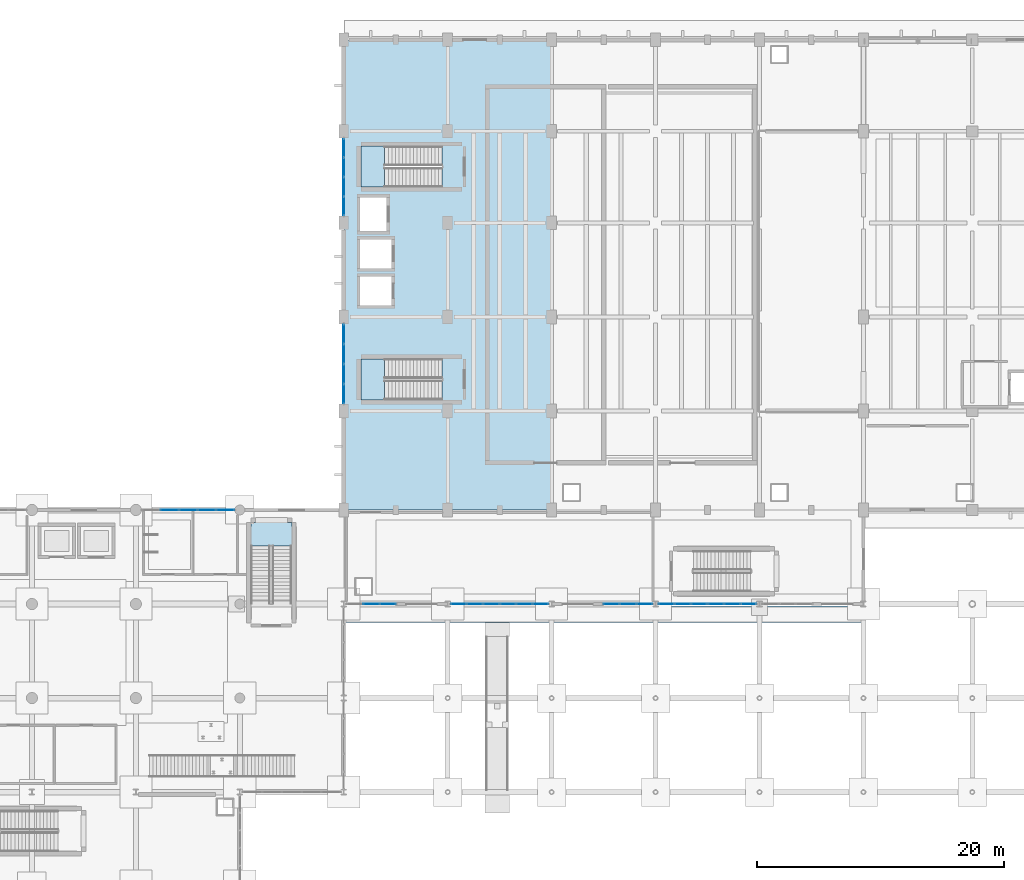
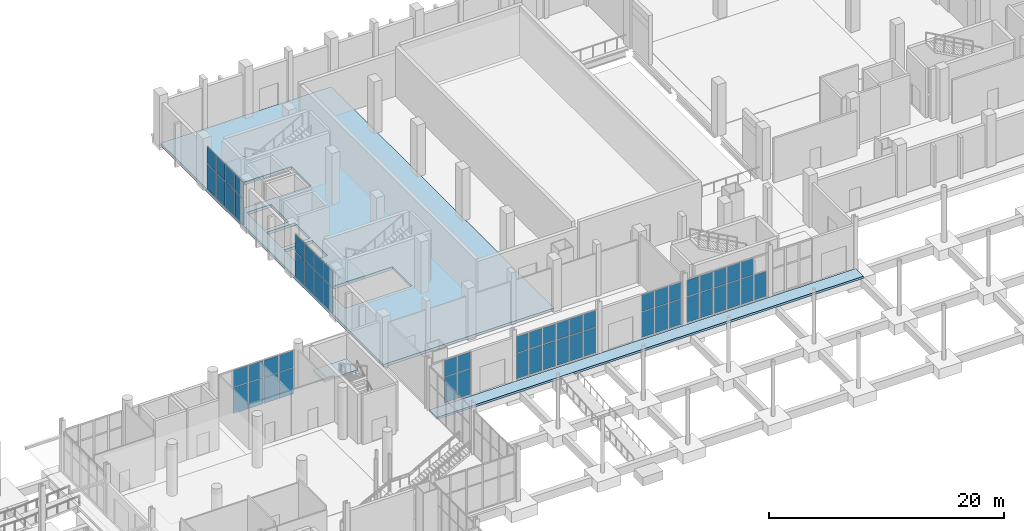
# One storey, part 63 of 95: 57 plates, 5 slabs, 12 elements without a shape of their own.
"""IFC4 building model written with IfcOpenShell, lengths in metres."""

from ifc_helpers import new_model, si_unit, direction, frame, origin, origin_2d, place, context, subcontext, project, spatial, polyline, rectangle, outline, extrude, material, layer, layer_set, type_object, element, aggregate, save


model = new_model("IFC4")

# Units and contexts
model_context = context("Model", 3, precision=1e-05, world=origin(), true_north=direction((0.0, 1.0)))
body_context = subcontext(model_context, "Body", "Model", "MODEL_VIEW")
ifc_project = project(units=[si_unit("LENGTHUNIT", "METRE"), si_unit("AREAUNIT", "SQUARE_METRE"), si_unit("VOLUMEUNIT", "CUBIC_METRE"), si_unit("PLANEANGLEUNIT", "RADIAN"), si_unit("MASSUNIT", "GRAM", prefix="KILO")], contexts=[model_context])

# Site, building, storey
site_placement = place(None, origin())
site = spatial("IfcSite", under=ifc_project, at=site_placement, CompositionType="ELEMENT")
building_placement = place(site_placement, origin())
building = spatial("IfcBuilding", under=site, at=building_placement, Name="Shengluoqiao Park Theatre", CompositionType="ELEMENT")
storey_placement = place(building_placement, origin())
storey = spatial("IfcBuildingStorey", under=building, at=storey_placement, Name="L00", CompositionType="ELEMENT", Elevation=0.0)

# Curtain wall, plates
ifc_material_1 = material(Name="Aluminium 6063-T6", Category="aluminium")
curtain_wall_type_1 = type_object("IfcCurtainWallType", Name="ENV-CW-FOYER", PredefinedType="NOTDEFINED", material=ifc_material_1)
curtain_wall_1_placement = place(storey_placement, origin())
curtain_wall_1 = element("IfcCurtainWall", 1, at=curtain_wall_1_placement, inside=storey, type_object=curtain_wall_type_1, Name="L00 Curtain Wall CW-L00-0038", PredefinedType="NOTDEFINED")
ifc_material_2 = material(Name="Insulated glass", Category="glass")
ifc_layer_1 = layer(ifc_material_2, 0.0380859375, Name="Insulated glass")
ifc_layer_set_1 = layer_set([ifc_layer_1], Name="Insulated glass")
plate_type_1 = type_object("IfcPlateType", Name="ENV-GLZ-GL-38", PredefinedType="CURTAIN_PANEL", material=ifc_layer_set_1)
plate_1_placement = place(storey_placement, frame((30.316650390625, 76.0, 0.06494140625), z_axis=(0.0, 0.0, 1.0), x_axis=(1.0, 0.0, 0.0)))
plate_1 = element("IfcPlate", 2, at=plate_1_placement, type_object=plate_type_1, Name="CW-01 panel 2.1", PredefinedType="CURTAIN_PANEL", context=body_context, shape_type="SweptSolid", body=[
    extrude(rectangle(XDim=1.443359375, YDim=0.0380859375, at=origin_2d()), origin(), (0.0, 0.0, 1.0), 2.6923828125),
])
plate_2_placement = place(storey_placement, frame((30.316650390625, 76.0, 2.82275390625), z_axis=(0.0, 0.0, 1.0), x_axis=(1.0, 0.0, 0.0)))
plate_2 = element("IfcPlate", 3, at=plate_2_placement, type_object=plate_type_1, Name="CW-01 panel 2.2", PredefinedType="CURTAIN_PANEL", context=body_context, shape_type="SweptSolid", body=[
    extrude(rectangle(XDim=1.443359375, YDim=0.0380859375, at=origin_2d()), origin(), (0.0, 0.0, 1.0), 1.762451171875),
])
plate_3_placement = place(storey_placement, frame((31.824951171875, 76.0, 0.06494140625), z_axis=(0.0, 0.0, 1.0), x_axis=(1.0, 0.0, 0.0)))
plate_3 = element("IfcPlate", 4, at=plate_3_placement, type_object=plate_type_1, Name="CW-01 panel 3.1", PredefinedType="CURTAIN_PANEL", context=body_context, shape_type="SweptSolid", body=[
    extrude(rectangle(XDim=1.443359375, YDim=0.0380859375, at=origin_2d()), origin(), (0.0, 0.0, 1.0), 2.6923828125),
])
plate_4_placement = place(storey_placement, frame((31.824951171875, 76.0, 2.82275390625), z_axis=(0.0, 0.0, 1.0), x_axis=(1.0, 0.0, 0.0)))
plate_4 = element("IfcPlate", 5, at=plate_4_placement, type_object=plate_type_1, Name="CW-01 panel 3.2", PredefinedType="CURTAIN_PANEL", context=body_context, shape_type="SweptSolid", body=[
    extrude(rectangle(XDim=1.443359375, YDim=0.0380859375, at=origin_2d()), origin(), (0.0, 0.0, 1.0), 1.762451171875),
])
plate_5_placement = place(storey_placement, frame((33.33349609375, 76.0, 0.06494140625), z_axis=(0.0, 0.0, 1.0), x_axis=(1.0, 0.0, 0.0)))
plate_5 = element("IfcPlate", 6, at=plate_5_placement, type_object=plate_type_1, Name="CW-01 panel 4.1", PredefinedType="CURTAIN_PANEL", context=body_context, shape_type="SweptSolid", body=[
    extrude(rectangle(XDim=1.443359375, YDim=0.0380859375, at=origin_2d()), origin(), (0.0, 0.0, 1.0), 2.6923828125),
])
plate_6_placement = place(storey_placement, frame((33.33349609375, 76.0, 2.82275390625), z_axis=(0.0, 0.0, 1.0), x_axis=(1.0, 0.0, 0.0)))
plate_6 = element("IfcPlate", 7, at=plate_6_placement, type_object=plate_type_1, Name="CW-01 panel 4.2", PredefinedType="CURTAIN_PANEL", context=body_context, shape_type="SweptSolid", body=[
    extrude(rectangle(XDim=1.443359375, YDim=0.0380859375, at=origin_2d()), origin(), (0.0, 0.0, 1.0), 1.762451171875),
])
plate_7_placement = place(storey_placement, frame((34.825439453125, 76.0, 0.06494140625), z_axis=(0.0, 0.0, 1.0), x_axis=(1.0, 0.0, 0.0)))
plate_7 = element("IfcPlate", 8, at=plate_7_placement, type_object=plate_type_1, Name="CW-01 panel 5.1", PredefinedType="CURTAIN_PANEL", context=body_context, shape_type="SweptSolid", body=[
    extrude(rectangle(XDim=1.410888671875, YDim=0.0380859375, at=origin_2d()), origin(), (0.0, 0.0, 1.0), 2.6923828125),
])
plate_8_placement = place(storey_placement, frame((34.825439453125, 76.0, 2.82275390625), z_axis=(0.0, 0.0, 1.0), x_axis=(1.0, 0.0, 0.0)))
plate_8 = element("IfcPlate", 9, at=plate_8_placement, type_object=plate_type_1, Name="CW-01 panel 5.2", PredefinedType="CURTAIN_PANEL", context=body_context, shape_type="SweptSolid", body=[
    extrude(rectangle(XDim=1.410888671875, YDim=0.0380859375, at=origin_2d()), origin(), (0.0, 0.0, 1.0), 1.762451171875),
])
aggregate(curtain_wall_1, [plate_1, plate_2, plate_3, plate_4, plate_5, plate_6, plate_7, plate_8])

curtain_wall_type_2 = type_object("IfcCurtainWallType", Name="ENV-CW-PROM", PredefinedType="NOTDEFINED", material=ifc_material_1)
curtain_wall_2_placement = place(storey_placement, origin())
curtain_wall_2 = element("IfcCurtainWall", 10, at=curtain_wall_2_placement, inside=storey, type_object=curtain_wall_type_2, Name="L00 Curtain Wall CW-L00-0039", PredefinedType="NOTDEFINED")
plate_9_placement = place(storey_placement, frame((46.63330078125, 68.39990234375, 0.06494140625), z_axis=(0.0, 0.0, 1.0), x_axis=(1.0, 0.0, 0.0)))
plate_9 = element("IfcPlate", 11, at=plate_9_placement, type_object=plate_type_1, Name="CW-04 panel 2.1", PredefinedType="CURTAIN_PANEL", context=body_context, shape_type="SweptSolid", body=[
    extrude(rectangle(XDim=1.2861328125, YDim=0.0380859375, at=origin_2d()), origin(), (0.0, 0.0, 1.0), 2.62744140625),
])
plate_10_placement = place(storey_placement, frame((46.63330078125, 68.39990234375, 2.75732421875), z_axis=(0.0, 0.0, 1.0), x_axis=(1.0, 0.0, 0.0)))
plate_10 = element("IfcPlate", 12, at=plate_10_placement, type_object=plate_type_1, Name="CW-04 panel 2.2", PredefinedType="CURTAIN_PANEL", context=body_context, shape_type="SweptSolid", body=[
    extrude(rectangle(XDim=1.2861328125, YDim=0.0380859375, at=origin_2d()), origin(), (0.0, 0.0, 1.0), 1.719482421875),
])
plate_11_placement = place(storey_placement, frame((47.96826171875, 68.39990234375, 0.06494140625), z_axis=(0.0, 0.0, 1.0), x_axis=(1.0, 0.0, 0.0)))
plate_11 = element("IfcPlate", 13, at=plate_11_placement, type_object=plate_type_1, Name="CW-04 panel 3.1", PredefinedType="CURTAIN_PANEL", context=body_context, shape_type="SweptSolid", body=[
    extrude(rectangle(XDim=1.253662109375, YDim=0.0380859375, at=origin_2d()), origin(), (0.0, 0.0, 1.0), 2.62744140625),
])
plate_12_placement = place(storey_placement, frame((47.96826171875, 68.39990234375, 2.75732421875), z_axis=(0.0, 0.0, 1.0), x_axis=(1.0, 0.0, 0.0)))
plate_12 = element("IfcPlate", 14, at=plate_12_placement, type_object=plate_type_1, Name="CW-04 panel 3.2", PredefinedType="CURTAIN_PANEL", context=body_context, shape_type="SweptSolid", body=[
    extrude(rectangle(XDim=1.253662109375, YDim=0.0380859375, at=origin_2d()), origin(), (0.0, 0.0, 1.0), 1.719482421875),
])
aggregate(curtain_wall_2, [plate_9, plate_10, plate_11, plate_12])

curtain_wall_3_placement = place(storey_placement, origin())
curtain_wall_3 = element("IfcCurtainWall", 15, at=curtain_wall_3_placement, inside=storey, type_object=curtain_wall_type_2, Name="L00 Curtain Wall CW-L00-0040", PredefinedType="NOTDEFINED")
plate_13_placement = place(storey_placement, frame((53.688232421875, 68.39990234375, 0.06494140625), z_axis=(0.0, 0.0, 1.0), x_axis=(1.0, 0.0, 0.0)))
plate_13 = element("IfcPlate", 16, at=plate_13_placement, type_object=plate_type_1, Name="CW-04 panel 1.1", PredefinedType="CURTAIN_PANEL", context=body_context, shape_type="SweptSolid", body=[
    extrude(rectangle(XDim=1.233642578125, YDim=0.0380859375, at=origin_2d()), origin(), (0.0, 0.0, 1.0), 2.62744140625),
])
plate_14_placement = place(storey_placement, frame((53.688232421875, 68.39990234375, 2.75732421875), z_axis=(0.0, 0.0, 1.0), x_axis=(1.0, 0.0, 0.0)))
plate_14 = element("IfcPlate", 17, at=plate_14_placement, type_object=plate_type_1, Name="CW-04 panel 1.2", PredefinedType="CURTAIN_PANEL", context=body_context, shape_type="SweptSolid", body=[
    extrude(rectangle(XDim=1.233642578125, YDim=0.0380859375, at=origin_2d()), origin(), (0.0, 0.0, 1.0), 1.719482421875),
])
plate_15_placement = place(storey_placement, frame((55.003173828125, 68.39990234375, 0.06494140625), z_axis=(0.0, 0.0, 1.0), x_axis=(1.0, 0.0, 0.0)))
plate_15 = element("IfcPlate", 18, at=plate_15_placement, type_object=plate_type_1, Name="CW-04 panel 2.1", PredefinedType="CURTAIN_PANEL", context=body_context, shape_type="SweptSolid", body=[
    extrude(rectangle(XDim=1.26611328125, YDim=0.0380859375, at=origin_2d()), origin(), (0.0, 0.0, 1.0), 2.62744140625),
])
plate_16_placement = place(storey_placement, frame((55.003173828125, 68.39990234375, 2.75732421875), z_axis=(0.0, 0.0, 1.0), x_axis=(1.0, 0.0, 0.0)))
plate_16 = element("IfcPlate", 19, at=plate_16_placement, type_object=plate_type_1, Name="CW-04 panel 2.2", PredefinedType="CURTAIN_PANEL", context=body_context, shape_type="SweptSolid", body=[
    extrude(rectangle(XDim=1.26611328125, YDim=0.0380859375, at=origin_2d()), origin(), (0.0, 0.0, 1.0), 1.719482421875),
])
plate_17_placement = place(storey_placement, frame((56.318115234375, 68.39990234375, 0.06494140625), z_axis=(0.0, 0.0, 1.0), x_axis=(1.0, 0.0, 0.0)))
plate_17 = element("IfcPlate", 20, at=plate_17_placement, type_object=plate_type_1, Name="CW-04 panel 3.1", PredefinedType="CURTAIN_PANEL", context=body_context, shape_type="SweptSolid", body=[
    extrude(rectangle(XDim=1.233642578125, YDim=0.0380859375, at=origin_2d()), origin(), (0.0, 0.0, 1.0), 2.62744140625),
])
plate_18_placement = place(storey_placement, frame((56.318115234375, 68.39990234375, 2.75732421875), z_axis=(0.0, 0.0, 1.0), x_axis=(1.0, 0.0, 0.0)))
plate_18 = element("IfcPlate", 21, at=plate_18_placement, type_object=plate_type_1, Name="CW-04 panel 3.2", PredefinedType="CURTAIN_PANEL", context=body_context, shape_type="SweptSolid", body=[
    extrude(rectangle(XDim=1.233642578125, YDim=0.0380859375, at=origin_2d()), origin(), (0.0, 0.0, 1.0), 1.719482421875),
])
aggregate(curtain_wall_3, [plate_13, plate_14, plate_15, plate_16, plate_17, plate_18])

curtain_wall_4_placement = place(storey_placement, origin())
curtain_wall_4 = element("IfcCurtainWall", 22, at=curtain_wall_4_placement, inside=storey, type_object=curtain_wall_type_2, Name="L00 Curtain Wall CW-L00-0041", PredefinedType="NOTDEFINED")
plate_19_placement = place(storey_placement, frame((57.681884765625, 68.39990234375, 0.06494140625), z_axis=(0.0, 0.0, 1.0), x_axis=(1.0, 0.0, 0.0)))
plate_19 = element("IfcPlate", 23, at=plate_19_placement, type_object=plate_type_1, Name="CW-04 panel 1.1", PredefinedType="CURTAIN_PANEL", context=body_context, shape_type="SweptSolid", body=[
    extrude(rectangle(XDim=1.233642578125, YDim=0.0380859375, at=origin_2d()), origin(), (0.0, 0.0, 1.0), 2.62744140625),
])
plate_20_placement = place(storey_placement, frame((57.681884765625, 68.39990234375, 2.75732421875), z_axis=(0.0, 0.0, 1.0), x_axis=(1.0, 0.0, 0.0)))
plate_20 = element("IfcPlate", 24, at=plate_20_placement, type_object=plate_type_1, Name="CW-04 panel 1.2", PredefinedType="CURTAIN_PANEL", context=body_context, shape_type="SweptSolid", body=[
    extrude(rectangle(XDim=1.233642578125, YDim=0.0380859375, at=origin_2d()), origin(), (0.0, 0.0, 1.0), 1.719482421875),
])
plate_21_placement = place(storey_placement, frame((58.996826171875, 68.39990234375, 0.06494140625), z_axis=(0.0, 0.0, 1.0), x_axis=(1.0, 0.0, 0.0)))
plate_21 = element("IfcPlate", 25, at=plate_21_placement, type_object=plate_type_1, Name="CW-04 panel 2.1", PredefinedType="CURTAIN_PANEL", context=body_context, shape_type="SweptSolid", body=[
    extrude(rectangle(XDim=1.26611328125, YDim=0.0380859375, at=origin_2d()), origin(), (0.0, 0.0, 1.0), 2.62744140625),
])
plate_22_placement = place(storey_placement, frame((58.996826171875, 68.39990234375, 2.75732421875), z_axis=(0.0, 0.0, 1.0), x_axis=(1.0, 0.0, 0.0)))
plate_22 = element("IfcPlate", 26, at=plate_22_placement, type_object=plate_type_1, Name="CW-04 panel 2.2", PredefinedType="CURTAIN_PANEL", context=body_context, shape_type="SweptSolid", body=[
    extrude(rectangle(XDim=1.26611328125, YDim=0.0380859375, at=origin_2d()), origin(), (0.0, 0.0, 1.0), 1.719482421875),
])
plate_23_placement = place(storey_placement, frame((60.311767578125, 68.39990234375, 0.06494140625), z_axis=(0.0, 0.0, 1.0), x_axis=(1.0, 0.0, 0.0)))
plate_23 = element("IfcPlate", 27, at=plate_23_placement, type_object=plate_type_1, Name="CW-04 panel 3.1", PredefinedType="CURTAIN_PANEL", context=body_context, shape_type="SweptSolid", body=[
    extrude(rectangle(XDim=1.233642578125, YDim=0.0380859375, at=origin_2d()), origin(), (0.0, 0.0, 1.0), 2.62744140625),
])
plate_24_placement = place(storey_placement, frame((60.311767578125, 68.39990234375, 2.75732421875), z_axis=(0.0, 0.0, 1.0), x_axis=(1.0, 0.0, 0.0)))
plate_24 = element("IfcPlate", 28, at=plate_24_placement, type_object=plate_type_1, Name="CW-04 panel 3.2", PredefinedType="CURTAIN_PANEL", context=body_context, shape_type="SweptSolid", body=[
    extrude(rectangle(XDim=1.233642578125, YDim=0.0380859375, at=origin_2d()), origin(), (0.0, 0.0, 1.0), 1.719482421875),
])
aggregate(curtain_wall_4, [plate_19, plate_20, plate_21, plate_22, plate_23, plate_24])

curtain_wall_5_placement = place(storey_placement, origin())
curtain_wall_5 = element("IfcCurtainWall", 29, at=curtain_wall_5_placement, inside=storey, type_object=curtain_wall_type_2, Name="L00 Curtain Wall CW-L00-0042", PredefinedType="NOTDEFINED")
plate_25_placement = place(storey_placement, frame((66.03173828125, 68.39990234375, 0.06494140625), z_axis=(0.0, 0.0, 1.0), x_axis=(1.0, 0.0, 0.0)))
plate_25 = element("IfcPlate", 30, at=plate_25_placement, type_object=plate_type_1, Name="CW-04 panel 1.1", PredefinedType="CURTAIN_PANEL", context=body_context, shape_type="SweptSolid", body=[
    extrude(rectangle(XDim=1.253662109375, YDim=0.0380859375, at=origin_2d()), origin(), (0.0, 0.0, 1.0), 2.62744140625),
])
plate_26_placement = place(storey_placement, frame((66.03173828125, 68.39990234375, 2.75732421875), z_axis=(0.0, 0.0, 1.0), x_axis=(1.0, 0.0, 0.0)))
plate_26 = element("IfcPlate", 31, at=plate_26_placement, type_object=plate_type_1, Name="CW-04 panel 1.2", PredefinedType="CURTAIN_PANEL", context=body_context, shape_type="SweptSolid", body=[
    extrude(rectangle(XDim=1.253662109375, YDim=0.0380859375, at=origin_2d()), origin(), (0.0, 0.0, 1.0), 1.719482421875),
])
plate_27_placement = place(storey_placement, frame((67.36669921875, 68.39990234375, 0.06494140625), z_axis=(0.0, 0.0, 1.0), x_axis=(1.0, 0.0, 0.0)))
plate_27 = element("IfcPlate", 32, at=plate_27_placement, type_object=plate_type_1, Name="CW-04 panel 2.1", PredefinedType="CURTAIN_PANEL", context=body_context, shape_type="SweptSolid", body=[
    extrude(rectangle(XDim=1.2861328125, YDim=0.0380859375, at=origin_2d()), origin(), (0.0, 0.0, 1.0), 2.62744140625),
])
plate_28_placement = place(storey_placement, frame((67.36669921875, 68.39990234375, 2.75732421875), z_axis=(0.0, 0.0, 1.0), x_axis=(1.0, 0.0, 0.0)))
plate_28 = element("IfcPlate", 33, at=plate_28_placement, type_object=plate_type_1, Name="CW-04 panel 2.2", PredefinedType="CURTAIN_PANEL", context=body_context, shape_type="SweptSolid", body=[
    extrude(rectangle(XDim=1.2861328125, YDim=0.0380859375, at=origin_2d()), origin(), (0.0, 0.0, 1.0), 1.719482421875),
])
plate_29_placement = place(storey_placement, frame((68.70166015625, 68.39990234375, 0.06494140625), z_axis=(0.0, 0.0, 1.0), x_axis=(1.0, 0.0, 0.0)))
plate_29 = element("IfcPlate", 34, at=plate_29_placement, type_object=plate_type_1, Name="CW-04 panel 3.1", PredefinedType="CURTAIN_PANEL", context=body_context, shape_type="SweptSolid", body=[
    extrude(rectangle(XDim=1.253662109375, YDim=0.0380859375, at=origin_2d()), origin(), (0.0, 0.0, 1.0), 2.62744140625),
])
plate_30_placement = place(storey_placement, frame((68.70166015625, 68.39990234375, 2.75732421875), z_axis=(0.0, 0.0, 1.0), x_axis=(1.0, 0.0, 0.0)))
plate_30 = element("IfcPlate", 35, at=plate_30_placement, type_object=plate_type_1, Name="CW-04 panel 3.2", PredefinedType="CURTAIN_PANEL", context=body_context, shape_type="SweptSolid", body=[
    extrude(rectangle(XDim=1.253662109375, YDim=0.0380859375, at=origin_2d()), origin(), (0.0, 0.0, 1.0), 1.719482421875),
])
aggregate(curtain_wall_5, [plate_25, plate_26, plate_27, plate_28, plate_29, plate_30])

curtain_wall_6_placement = place(storey_placement, origin())
curtain_wall_6 = element("IfcCurtainWall", 36, at=curtain_wall_6_placement, inside=storey, type_object=curtain_wall_type_2, Name="L00 Curtain Wall CW-L00-0043", PredefinedType="NOTDEFINED")
plate_31_placement = place(storey_placement, frame((70.48828125, 68.39990234375, 0.06494140625), z_axis=(0.0, 0.0, 1.0), x_axis=(1.0, 0.0, 0.0)))
plate_31 = element("IfcPlate", 37, at=plate_31_placement, type_object=plate_type_1, Name="CW-04 panel 1.1", PredefinedType="CURTAIN_PANEL", context=body_context, shape_type="SweptSolid", body=[
    extrude(rectangle(XDim=1.233642578125, YDim=0.0380859375, at=origin_2d()), origin(), (0.0, 0.0, 1.0), 2.62744140625),
])
plate_32_placement = place(storey_placement, frame((70.48828125, 68.39990234375, 2.75732421875), z_axis=(0.0, 0.0, 1.0), x_axis=(1.0, 0.0, 0.0)))
plate_32 = element("IfcPlate", 38, at=plate_32_placement, type_object=plate_type_1, Name="CW-04 panel 1.2", PredefinedType="CURTAIN_PANEL", context=body_context, shape_type="SweptSolid", body=[
    extrude(rectangle(XDim=1.233642578125, YDim=0.0380859375, at=origin_2d()), origin(), (0.0, 0.0, 1.0), 1.719482421875),
])
plate_33_placement = place(storey_placement, frame((71.80322265625, 68.39990234375, 0.06494140625), z_axis=(0.0, 0.0, 1.0), x_axis=(1.0, 0.0, 0.0)))
plate_33 = element("IfcPlate", 39, at=plate_33_placement, type_object=plate_type_1, Name="CW-04 panel 2.1", PredefinedType="CURTAIN_PANEL", context=body_context, shape_type="SweptSolid", body=[
    extrude(rectangle(XDim=1.26611328125, YDim=0.0380859375, at=origin_2d()), origin(), (0.0, 0.0, 1.0), 2.62744140625),
])
plate_34_placement = place(storey_placement, frame((71.80322265625, 68.39990234375, 2.75732421875), z_axis=(0.0, 0.0, 1.0), x_axis=(1.0, 0.0, 0.0)))
plate_34 = element("IfcPlate", 40, at=plate_34_placement, type_object=plate_type_1, Name="CW-04 panel 2.2", PredefinedType="CURTAIN_PANEL", context=body_context, shape_type="SweptSolid", body=[
    extrude(rectangle(XDim=1.26611328125, YDim=0.0380859375, at=origin_2d()), origin(), (0.0, 0.0, 1.0), 1.719482421875),
])
plate_35_placement = place(storey_placement, frame((73.1181640625, 68.39990234375, 0.06494140625), z_axis=(0.0, 0.0, 1.0), x_axis=(1.0, 0.0, 0.0)))
plate_35 = element("IfcPlate", 41, at=plate_35_placement, type_object=plate_type_1, Name="CW-04 panel 3.1", PredefinedType="CURTAIN_PANEL", context=body_context, shape_type="SweptSolid", body=[
    extrude(rectangle(XDim=1.233642578125, YDim=0.0380859375, at=origin_2d()), origin(), (0.0, 0.0, 1.0), 2.62744140625),
])
plate_36_placement = place(storey_placement, frame((73.1181640625, 68.39990234375, 2.75732421875), z_axis=(0.0, 0.0, 1.0), x_axis=(1.0, 0.0, 0.0)))
plate_36 = element("IfcPlate", 42, at=plate_36_placement, type_object=plate_type_1, Name="CW-04 panel 3.2", PredefinedType="CURTAIN_PANEL", context=body_context, shape_type="SweptSolid", body=[
    extrude(rectangle(XDim=1.233642578125, YDim=0.0380859375, at=origin_2d()), origin(), (0.0, 0.0, 1.0), 1.719482421875),
])
aggregate(curtain_wall_6, [plate_31, plate_32, plate_33, plate_34, plate_35, plate_36])

curtain_wall_7_placement = place(storey_placement, origin())
curtain_wall_7 = element("IfcCurtainWall", 43, at=curtain_wall_7_placement, inside=storey, type_object=curtain_wall_type_2, Name="L00 Curtain Wall CW-L00-0044", PredefinedType="NOTDEFINED")
plate_37_placement = place(storey_placement, frame((74.48193359375, 68.39990234375, 0.06494140625), z_axis=(0.0, 0.0, 1.0), x_axis=(1.0, 0.0, 0.0)))
plate_37 = element("IfcPlate", 44, at=plate_37_placement, type_object=plate_type_1, Name="CW-04 panel 1.1", PredefinedType="CURTAIN_PANEL", context=body_context, shape_type="SweptSolid", body=[
    extrude(rectangle(XDim=1.233642578125, YDim=0.0380859375, at=origin_2d()), origin(), (0.0, 0.0, 1.0), 2.62744140625),
])
plate_38_placement = place(storey_placement, frame((74.48193359375, 68.39990234375, 2.75732421875), z_axis=(0.0, 0.0, 1.0), x_axis=(1.0, 0.0, 0.0)))
plate_38 = element("IfcPlate", 45, at=plate_38_placement, type_object=plate_type_1, Name="CW-04 panel 1.2", PredefinedType="CURTAIN_PANEL", context=body_context, shape_type="SweptSolid", body=[
    extrude(rectangle(XDim=1.233642578125, YDim=0.0380859375, at=origin_2d()), origin(), (0.0, 0.0, 1.0), 1.719482421875),
])
plate_39_placement = place(storey_placement, frame((75.796630859375, 68.39990234375, 0.06494140625), z_axis=(0.0, 0.0, 1.0), x_axis=(1.0, 0.0, 0.0)))
plate_39 = element("IfcPlate", 46, at=plate_39_placement, type_object=plate_type_1, Name="CW-04 panel 2.1", PredefinedType="CURTAIN_PANEL", context=body_context, shape_type="SweptSolid", body=[
    extrude(rectangle(XDim=1.26611328125, YDim=0.0380859375, at=origin_2d()), origin(), (0.0, 0.0, 1.0), 2.62744140625),
])
plate_40_placement = place(storey_placement, frame((75.796630859375, 68.39990234375, 2.75732421875), z_axis=(0.0, 0.0, 1.0), x_axis=(1.0, 0.0, 0.0)))
plate_40 = element("IfcPlate", 47, at=plate_40_placement, type_object=plate_type_1, Name="CW-04 panel 2.2", PredefinedType="CURTAIN_PANEL", context=body_context, shape_type="SweptSolid", body=[
    extrude(rectangle(XDim=1.26611328125, YDim=0.0380859375, at=origin_2d()), origin(), (0.0, 0.0, 1.0), 1.719482421875),
])
plate_41_placement = place(storey_placement, frame((77.111572265625, 68.39990234375, 0.06494140625), z_axis=(0.0, 0.0, 1.0), x_axis=(1.0, 0.0, 0.0)))
plate_41 = element("IfcPlate", 48, at=plate_41_placement, type_object=plate_type_1, Name="CW-04 panel 3.1", PredefinedType="CURTAIN_PANEL", context=body_context, shape_type="SweptSolid", body=[
    extrude(rectangle(XDim=1.233642578125, YDim=0.0380859375, at=origin_2d()), origin(), (0.0, 0.0, 1.0), 2.62744140625),
])
aggregate(curtain_wall_7, [plate_37, plate_38, plate_39, plate_40, plate_41])

curtain_wall_type_3 = type_object("IfcCurtainWallType", Name="ENV-CW-CLERE", PredefinedType="NOTDEFINED", material=ifc_material_1)
curtain_wall_8_placement = place(storey_placement, origin())
curtain_wall_8 = element("IfcCurtainWall", 49, at=curtain_wall_8_placement, inside=storey, type_object=curtain_wall_type_3, Name="L00 Curtain Wall CW-L00-0001", PredefinedType="NOTDEFINED")
ifc_layer_2 = layer(ifc_material_2, 0.048095703125, Name="Insulated glass")
ifc_layer_set_2 = layer_set([ifc_layer_2], Name="Insulated glass")
plate_type_2 = type_object("IfcPlateType", Name="ENV-GLZ-GL-48", PredefinedType="CURTAIN_PANEL", material=ifc_layer_set_2)
plate_42_placement = place(storey_placement, frame((44.39990234375, 85.3818359375, 0.06494140625), z_axis=(0.0, 0.0, 1.0), x_axis=(0.0, 1.0, 0.0)))
plate_42 = element("IfcPlate", 50, at=plate_42_placement, type_object=plate_type_2, Name="CW-06 panel 1.1", PredefinedType="CURTAIN_PANEL", context=body_context, shape_type="SweptSolid", body=[
    extrude(rectangle(XDim=1.525390625, YDim=0.048095703125, at=origin_2d()), origin(), (0.0, 0.0, 1.0), 2.632568359375),
])
plate_43_placement = place(storey_placement, frame((44.39990234375, 85.3818359375, 2.7626953125), z_axis=(0.0, 0.0, 1.0), x_axis=(0.0, 1.0, 0.0)))
plate_43 = element("IfcPlate", 51, at=plate_43_placement, type_object=plate_type_2, Name="CW-06 panel 1.2", PredefinedType="CURTAIN_PANEL", context=body_context, shape_type="SweptSolid", body=[
    extrude(rectangle(XDim=1.525390625, YDim=0.048095703125, at=origin_2d()), origin(), (0.0, 0.0, 1.0), 1.722412109375),
])
plate_44_placement = place(storey_placement, frame((44.39990234375, 86.988525390625, 0.06494140625), z_axis=(0.0, 0.0, 1.0), x_axis=(0.0, 1.0, 0.0)))
plate_44 = element("IfcPlate", 52, at=plate_44_placement, type_object=plate_type_2, Name="CW-06 panel 2.1", PredefinedType="CURTAIN_PANEL", context=body_context, shape_type="SweptSolid", body=[
    extrude(rectangle(XDim=1.55810546875, YDim=0.048095703125, at=origin_2d()), origin(), (0.0, 0.0, 1.0), 2.632568359375),
])
plate_45_placement = place(storey_placement, frame((44.39990234375, 86.988525390625, 2.7626953125), z_axis=(0.0, 0.0, 1.0), x_axis=(0.0, 1.0, 0.0)))
plate_45 = element("IfcPlate", 53, at=plate_45_placement, type_object=plate_type_2, Name="CW-06 panel 2.2", PredefinedType="CURTAIN_PANEL", context=body_context, shape_type="SweptSolid", body=[
    extrude(rectangle(XDim=1.55810546875, YDim=0.048095703125, at=origin_2d()), origin(), (0.0, 0.0, 1.0), 1.722412109375),
])
plate_46_placement = place(storey_placement, frame((44.39990234375, 88.611572265625, 0.06494140625), z_axis=(0.0, 0.0, 1.0), x_axis=(0.0, 1.0, 0.0)))
plate_46 = element("IfcPlate", 54, at=plate_46_placement, type_object=plate_type_2, Name="CW-06 panel 3.1", PredefinedType="CURTAIN_PANEL", context=body_context, shape_type="SweptSolid", body=[
    extrude(rectangle(XDim=1.55810546875, YDim=0.048095703125, at=origin_2d()), origin(), (0.0, 0.0, 1.0), 2.632568359375),
])
plate_47_placement = place(storey_placement, frame((44.39990234375, 88.611572265625, 2.7626953125), z_axis=(0.0, 0.0, 1.0), x_axis=(0.0, 1.0, 0.0)))
plate_47 = element("IfcPlate", 55, at=plate_47_placement, type_object=plate_type_2, Name="CW-06 panel 3.2", PredefinedType="CURTAIN_PANEL", context=body_context, shape_type="SweptSolid", body=[
    extrude(rectangle(XDim=1.55810546875, YDim=0.048095703125, at=origin_2d()), origin(), (0.0, 0.0, 1.0), 1.722412109375),
])
plate_48_placement = place(storey_placement, frame((44.39990234375, 90.21826171875, 0.06494140625), z_axis=(0.0, 0.0, 1.0), x_axis=(0.0, 1.0, 0.0)))
plate_48 = element("IfcPlate", 56, at=plate_48_placement, type_object=plate_type_2, Name="CW-06 panel 4.1", PredefinedType="CURTAIN_PANEL", context=body_context, shape_type="SweptSolid", body=[
    extrude(rectangle(XDim=1.525390625, YDim=0.048095703125, at=origin_2d()), origin(), (0.0, 0.0, 1.0), 2.632568359375),
])
plate_49_placement = place(storey_placement, frame((44.39990234375, 90.21826171875, 2.7626953125), z_axis=(0.0, 0.0, 1.0), x_axis=(0.0, 1.0, 0.0)))
plate_49 = element("IfcPlate", 57, at=plate_49_placement, type_object=plate_type_2, Name="CW-06 panel 4.2", PredefinedType="CURTAIN_PANEL", context=body_context, shape_type="SweptSolid", body=[
    extrude(rectangle(XDim=1.525390625, YDim=0.048095703125, at=origin_2d()), origin(), (0.0, 0.0, 1.0), 1.722412109375),
])
aggregate(curtain_wall_8, [plate_42, plate_43, plate_44, plate_45, plate_46, plate_47, plate_48, plate_49])

curtain_wall_9_placement = place(storey_placement, origin())
curtain_wall_9 = element("IfcCurtainWall", 58, at=curtain_wall_9_placement, inside=storey, type_object=curtain_wall_type_3, Name="L00 Curtain Wall CW-L00-0002", PredefinedType="NOTDEFINED")
plate_50_placement = place(storey_placement, frame((44.39990234375, 100.556640625, 0.06494140625), z_axis=(0.0, 0.0, 1.0), x_axis=(0.0, 1.0, 0.0)))
plate_50 = element("IfcPlate", 59, at=plate_50_placement, type_object=plate_type_2, Name="CW-06 panel 1.1", PredefinedType="CURTAIN_PANEL", context=body_context, shape_type="SweptSolid", body=[
    extrude(rectangle(XDim=1.4755859375, YDim=0.048095703125, at=origin_2d()), origin(), (0.0, 0.0, 1.0), 2.632568359375),
])
plate_51_placement = place(storey_placement, frame((44.39990234375, 100.556640625, 2.7626953125), z_axis=(0.0, 0.0, 1.0), x_axis=(0.0, 1.0, 0.0)))
plate_51 = element("IfcPlate", 60, at=plate_51_placement, type_object=plate_type_2, Name="CW-06 panel 1.2", PredefinedType="CURTAIN_PANEL", context=body_context, shape_type="SweptSolid", body=[
    extrude(rectangle(XDim=1.4755859375, YDim=0.048095703125, at=origin_2d()), origin(), (0.0, 0.0, 1.0), 1.722412109375),
])
plate_52_placement = place(storey_placement, frame((44.39990234375, 102.113525390625, 0.06494140625), z_axis=(0.0, 0.0, 1.0), x_axis=(0.0, 1.0, 0.0)))
plate_52 = element("IfcPlate", 61, at=plate_52_placement, type_object=plate_type_2, Name="CW-06 panel 2.1", PredefinedType="CURTAIN_PANEL", context=body_context, shape_type="SweptSolid", body=[
    extrude(rectangle(XDim=1.508056640625, YDim=0.048095703125, at=origin_2d()), origin(), (0.0, 0.0, 1.0), 2.632568359375),
])
plate_53_placement = place(storey_placement, frame((44.39990234375, 102.113525390625, 2.7626953125), z_axis=(0.0, 0.0, 1.0), x_axis=(0.0, 1.0, 0.0)))
plate_53 = element("IfcPlate", 62, at=plate_53_placement, type_object=plate_type_2, Name="CW-06 panel 2.2", PredefinedType="CURTAIN_PANEL", context=body_context, shape_type="SweptSolid", body=[
    extrude(rectangle(XDim=1.508056640625, YDim=0.048095703125, at=origin_2d()), origin(), (0.0, 0.0, 1.0), 1.722412109375),
])
plate_54_placement = place(storey_placement, frame((44.39990234375, 103.6865234375, 0.06494140625), z_axis=(0.0, 0.0, 1.0), x_axis=(0.0, 1.0, 0.0)))
plate_54 = element("IfcPlate", 63, at=plate_54_placement, type_object=plate_type_2, Name="CW-06 panel 3.1", PredefinedType="CURTAIN_PANEL", context=body_context, shape_type="SweptSolid", body=[
    extrude(rectangle(XDim=1.508056640625, YDim=0.048095703125, at=origin_2d()), origin(), (0.0, 0.0, 1.0), 2.632568359375),
])
plate_55_placement = place(storey_placement, frame((44.39990234375, 103.6865234375, 2.7626953125), z_axis=(0.0, 0.0, 1.0), x_axis=(0.0, 1.0, 0.0)))
plate_55 = element("IfcPlate", 64, at=plate_55_placement, type_object=plate_type_2, Name="CW-06 panel 3.2", PredefinedType="CURTAIN_PANEL", context=body_context, shape_type="SweptSolid", body=[
    extrude(rectangle(XDim=1.508056640625, YDim=0.048095703125, at=origin_2d()), origin(), (0.0, 0.0, 1.0), 1.722412109375),
])
plate_56_placement = place(storey_placement, frame((44.39990234375, 105.2431640625, 0.06494140625), z_axis=(0.0, 0.0, 1.0), x_axis=(0.0, 1.0, 0.0)))
plate_56 = element("IfcPlate", 65, at=plate_56_placement, type_object=plate_type_2, Name="CW-06 panel 4.1", PredefinedType="CURTAIN_PANEL", context=body_context, shape_type="SweptSolid", body=[
    extrude(rectangle(XDim=1.4755859375, YDim=0.048095703125, at=origin_2d()), origin(), (0.0, 0.0, 1.0), 2.632568359375),
])
plate_57_placement = place(storey_placement, frame((44.39990234375, 105.2431640625, 2.7626953125), z_axis=(0.0, 0.0, 1.0), x_axis=(0.0, 1.0, 0.0)))
plate_57 = element("IfcPlate", 66, at=plate_57_placement, type_object=plate_type_2, Name="CW-06 panel 4.2", PredefinedType="CURTAIN_PANEL", context=body_context, shape_type="SweptSolid", body=[
    extrude(rectangle(XDim=1.4755859375, YDim=0.048095703125, at=origin_2d()), origin(), (0.0, 0.0, 1.0), 1.722412109375),
])
aggregate(curtain_wall_9, [plate_50, plate_51, plate_52, plate_53, plate_54, plate_55, plate_56, plate_57])

# Slab
ifc_material_3 = material(Name="Concrete C40", Category="concrete")
ifc_layer_3 = layer(ifc_material_3, 0.219970703125, Name="Concrete C40")
ifc_layer_set_3 = layer_set([ifc_layer_3], Name="Concrete C40")
slab_type_1 = type_object("IfcSlabType", Name="ENV-SLB-APRON", PredefinedType="BASESLAB", material=ifc_layer_set_3)
slab_1_placement = place(storey_placement, frame((0.0, 0.0, -0.219970703125)))
element("IfcSlab", 67, at=slab_1_placement, inside=storey, type_object=slab_type_1, Name="Exterior Threshold Apron APR-STH-PROM", PredefinedType="BASESLAB", context=body_context, shape_type="SweptSolid", body=[
    extrude(outline(polyline([(44.39990234375, 66.89990234375), (86.39990234375, 66.89990234375), (86.39990234375, 68.219970703125), (44.39990234375, 68.219970703125), (44.39990234375, 66.89990234375)])), origin(), (0.0, 0.0, 1.0), 0.219970703125),
])

# Stair, slab
stair_type = type_object("IfcStairType", Name="INT-STR-CORE", PredefinedType="HALF_TURN_STAIR", material=ifc_material_3)
stair_1_placement = place(storey_placement, origin())
stair_1 = element("IfcStair", 68, at=stair_1_placement, inside=storey, type_object=stair_type, Name="L00 Auditorium South-West Escape Stair 02", PredefinedType="HALF_TURN_STAIR")
ifc_layer_4 = layer(ifc_material_3, 0.169921875, Name="Concrete C40")
ifc_layer_set_4 = layer_set([ifc_layer_4], Name="Concrete C40")
slab_type_2 = type_object("IfcSlabType", Name="INT-LND-SL-170", PredefinedType="LANDING", material=ifc_layer_set_4)
slab_2_placement = place(storey_placement, frame((0.0, 0.0, 2.5)))
slab_2 = element("IfcSlab", 69, at=slab_2_placement, type_object=slab_type_2, Name="ST-02 landing 1", PredefinedType="LANDING", context=body_context, shape_type="SweptSolid", body=[
    extrude(outline(polyline([(47.7099609375, 88.199951171875), (45.800048828125, 88.199951171875), (45.800048828125, 84.89990234375), (47.7099609375, 84.89990234375), (47.7099609375, 88.199951171875)])), origin(), (0.0, 0.0, 1.0), 0.199951171875),
])
aggregate(stair_1, [slab_2])

stair_2_placement = place(storey_placement, origin())
stair_2 = element("IfcStair", 70, at=stair_2_placement, inside=storey, type_object=stair_type, Name="L00 West Foyer Escape Stair 01", PredefinedType="HALF_TURN_STAIR")
ifc_layer_5 = layer(ifc_material_3, 0.199951171875, Name="Concrete C40")
ifc_layer_set_5 = layer_set([ifc_layer_5], Name="Concrete C40")
slab_type_3 = type_object("IfcSlabType", Name="INT-LND-SL-200", PredefinedType="LANDING", material=ifc_layer_set_5)
slab_3_placement = place(storey_placement, frame((0.0, 0.0, 2.5)))
slab_3 = element("IfcSlab", 71, at=slab_3_placement, type_object=slab_type_3, Name="ST-01 landing 1", PredefinedType="LANDING", context=body_context, shape_type="SweptSolid", body=[
    extrude(outline(polyline([(40.199951171875, 73.090087890625), (40.199951171875, 75.0), (36.89990234375, 75.0), (36.89990234375, 73.090087890625), (40.199951171875, 73.090087890625)])), origin(), (0.0, 0.0, 1.0), 0.199951171875),
])
aggregate(stair_2, [slab_3])

stair_3_placement = place(storey_placement, origin())
stair_3 = element("IfcStair", 72, at=stair_3_placement, inside=storey, type_object=stair_type, Name="L00 Auditorium North-West Escape Stair 03", PredefinedType="HALF_TURN_STAIR")
slab_4_placement = place(storey_placement, frame((0.0, 0.0, 2.5)))
slab_4 = element("IfcSlab", 73, at=slab_4_placement, type_object=slab_type_3, Name="ST-03 landing 1", PredefinedType="LANDING", context=body_context, shape_type="SweptSolid", body=[
    extrude(outline(polyline([(47.7099609375, 105.39990234375), (45.800048828125, 105.39990234375), (45.800048828125, 102.10009765625), (47.7099609375, 102.10009765625), (47.7099609375, 105.39990234375)])), origin(), (0.0, 0.0, 1.0), 0.199951171875),
])
aggregate(stair_3, [slab_4])

# Slab
ifc_layer_6 = layer(ifc_material_3, 0.300048828125, Name="Concrete C40")
ifc_layer_set_6 = layer_set([ifc_layer_6], Name="Concrete C40")
slab_type_4 = type_object("IfcSlabType", Name="STR-SLB-FL300", PredefinedType="FLOOR", material=ifc_layer_set_6)
slab_5_placement = place(storey_placement, frame((0.0, 0.0, -0.300048828125)))
element("IfcSlab", 74, at=slab_5_placement, inside=storey, type_object=slab_type_4, Name="Floor Slab L00-V1-REAR", PredefinedType="FLOOR", context=body_context, shape_type="SweptSolid", body=[
    extrude(outline(polyline([(44.39990234375, 76.0), (44.39990234375, 114.0), (61.199951171875, 114.0), (61.199951171875, 76.0), (44.39990234375, 76.0)]), holes=[polyline([(52.345947265625, 88.199951171875), (45.800048828125, 88.199951171875), (45.800048828125, 84.89990234375), (52.345947265625, 84.89990234375), (52.345947265625, 88.199951171875)]), polyline([(48.39990234375, 92.39990234375), (48.39990234375, 95.0), (45.60009765625, 95.0), (45.60009765625, 92.39990234375), (48.39990234375, 92.39990234375)]), polyline([(48.39990234375, 98.0), (45.60009765625, 98.0), (45.60009765625, 95.39990234375), (48.39990234375, 95.39990234375), (48.39990234375, 98.0)]), polyline([(48.0, 98.39990234375), (48.0, 101.39990234375), (45.60009765625, 101.39990234375), (45.60009765625, 98.39990234375), (48.0, 98.39990234375)]), polyline([(52.345947265625, 105.39990234375), (45.800048828125, 105.39990234375), (45.800048828125, 102.10009765625), (52.345947265625, 102.10009765625), (52.345947265625, 105.39990234375)])]), origin(), (0.0, 0.0, 1.0), 0.300048828125),
])

save(model, "model.ifc")
